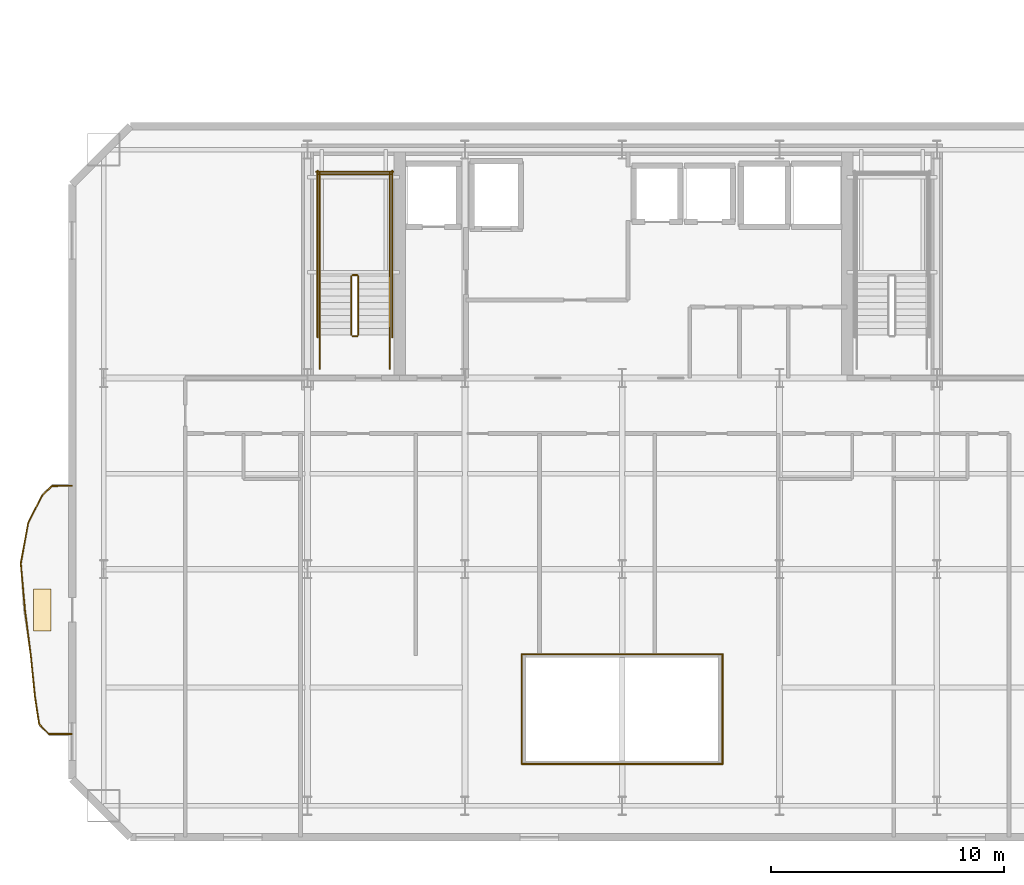
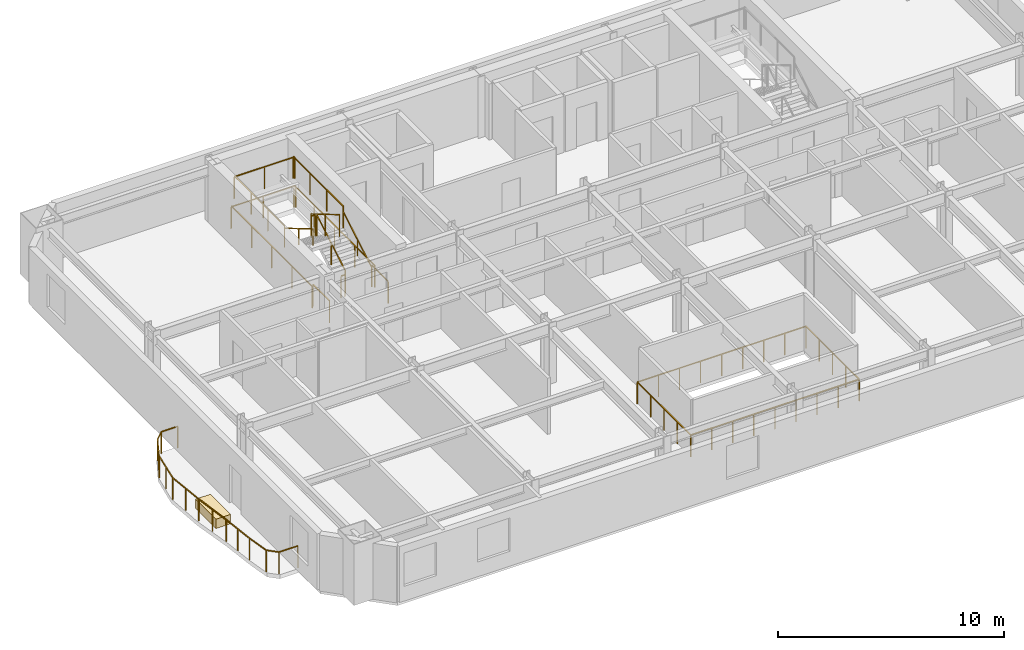
# One storey, part 11 of 14: 28 railings, 1 covering.
"""IFC4 building model written with IfcOpenShell, lengths in metres."""

from ifc_helpers import new_model, si_unit, direction, frame, origin, origin_2d, place, context, subcontext, project, spatial, rectangle, extrude, material, layer, layer_set, type_object, element, save


model = new_model("IFC4")

# Units and contexts
model_context = context("Model", 3, precision=1e-05, world=origin(), true_north=direction((0.0, 1.0)))
body_context = subcontext(model_context, "Body", "Model", "MODEL_VIEW")
ifc_project = project(units=[si_unit("LENGTHUNIT", "METRE"), si_unit("AREAUNIT", "SQUARE_METRE"), si_unit("VOLUMEUNIT", "CUBIC_METRE"), si_unit("PLANEANGLEUNIT", "RADIAN"), si_unit("MASSUNIT", "GRAM", prefix="KILO")], contexts=[model_context])

# Site, building, storey
site_placement = place(None, origin())
site = spatial("IfcSite", under=ifc_project, at=site_placement, CompositionType="ELEMENT")
building_placement = place(site_placement, origin())
building = spatial("IfcBuilding", under=site, at=building_placement, Name="Haevon Station Towers", CompositionType="ELEMENT")
storey_placement = place(building_placement, frame((0.0, 0.0, 106.5)))
storey = spatial("IfcBuildingStorey", under=building, at=storey_placement, Name="L28", CompositionType="ELEMENT", Elevation=106.5)

# Railings
ifc_material_1 = material(Name="Steel S355", Category="steel")
railing_type_1 = type_object("IfcRailingType", Name="BAL-ATR1200", PredefinedType="BALUSTRADE", material=ifc_material_1)
railing_1_placement = place(storey_placement, frame((33.19482421875, 21.642333984375, 0.0)))
element("IfcRailing", 1, at=railing_1_placement, inside=storey, type_object=railing_type_1, Name="L28 Atrium Void Balustrade 1", PredefinedType="BALUSTRADE", context=body_context, shape_type="SweptSolid", body=[
    extrude(rectangle(XDim=0.048095703125, YDim=0.048095703125, at=origin_2d()), frame((0.0, 0.0, 1.17578125), z_axis=(1.0, 0.0, 0.0), x_axis=(0.0, 1.0, 0.0)), (0.0, 0.0, 1.0), 8.6103515625),
    extrude(rectangle(XDim=0.0419921875, YDim=0.0419921875, at=origin_2d()), origin(), (0.0, 0.0, 1.0), 1.15185546875),
    extrude(rectangle(XDim=0.0419921875, YDim=0.0419921875, at=origin_2d()), frame((1.076171875, 0.0, 0.0)), (0.0, 0.0, 1.0), 1.15185546875),
    extrude(rectangle(XDim=0.0419921875, YDim=0.0419921875, at=origin_2d()), frame((2.152587890625, 0.0, 0.0)), (0.0, 0.0, 1.0), 1.15185546875),
    extrude(rectangle(XDim=0.0419921875, YDim=0.0419921875, at=origin_2d()), frame((3.22900390625, 0.0, 0.0)), (0.0, 0.0, 1.0), 1.15185546875),
    extrude(rectangle(XDim=0.0419921875, YDim=0.0419921875, at=origin_2d()), frame((4.30517578125, 0.0, 0.0)), (0.0, 0.0, 1.0), 1.15185546875),
    extrude(rectangle(XDim=0.0419921875, YDim=0.0419921875, at=origin_2d()), frame((5.38134765625, 0.0, 0.0)), (0.0, 0.0, 1.0), 1.15185546875),
    extrude(rectangle(XDim=0.0419921875, YDim=0.0419921875, at=origin_2d()), frame((6.457763671875, 0.0, 0.0)), (0.0, 0.0, 1.0), 1.15185546875),
    extrude(rectangle(XDim=0.0419921875, YDim=0.0419921875, at=origin_2d()), frame((7.5341796875, 0.0, 0.0)), (0.0, 0.0, 1.0), 1.15185546875),
    extrude(rectangle(XDim=0.0419921875, YDim=0.0419921875, at=origin_2d()), frame((8.6103515625, 0.0, 0.0)), (0.0, 0.0, 1.0), 1.15185546875),
])
railing_2_placement = place(storey_placement, frame((41.80517578125, 21.642333984375, 0.0)))
element("IfcRailing", 2, at=railing_2_placement, inside=storey, type_object=railing_type_1, Name="L28 Atrium Void Balustrade 2", PredefinedType="BALUSTRADE", context=body_context, shape_type="SweptSolid", body=[
    extrude(rectangle(XDim=0.048095703125, YDim=0.048095703125, at=origin_2d()), frame((0.0, 0.0, 1.17578125), z_axis=(0.0, 1.0, 0.0), x_axis=(-1.0, 0.0, 0.0)), (0.0, 0.0, 1.0), 4.71533203125),
    extrude(rectangle(XDim=0.0419921875, YDim=0.0419921875, at=origin_2d()), origin(), (0.0, 0.0, 1.0), 1.15185546875),
    extrude(rectangle(XDim=0.0419921875, YDim=0.0419921875, at=origin_2d()), frame((0.0, 1.1787109375, 0.0)), (0.0, 0.0, 1.0), 1.15185546875),
    extrude(rectangle(XDim=0.0419921875, YDim=0.0419921875, at=origin_2d()), frame((0.0, 2.357666015625, 0.0)), (0.0, 0.0, 1.0), 1.15185546875),
    extrude(rectangle(XDim=0.0419921875, YDim=0.0419921875, at=origin_2d()), frame((0.0, 3.53662109375, 0.0)), (0.0, 0.0, 1.0), 1.15185546875),
    extrude(rectangle(XDim=0.0419921875, YDim=0.0419921875, at=origin_2d()), frame((0.0, 4.71533203125, 0.0)), (0.0, 0.0, 1.0), 1.15185546875),
])
railing_3_placement = place(storey_placement, frame((41.80517578125, 26.357666015625, 0.0)))
element("IfcRailing", 3, at=railing_3_placement, inside=storey, type_object=railing_type_1, Name="L28 Atrium Void Balustrade 3", PredefinedType="BALUSTRADE", context=body_context, shape_type="SweptSolid", body=[
    extrude(rectangle(XDim=0.048095703125, YDim=0.048095703125, at=origin_2d()), frame((0.0, 0.0, 1.17578125), z_axis=(-1.0, 0.0, 0.0), x_axis=(0.0, -1.0, 0.0)), (0.0, 0.0, 1.0), 8.6103515625),
    extrude(rectangle(XDim=0.0419921875, YDim=0.0419921875, at=origin_2d()), origin(), (0.0, 0.0, 1.0), 1.15185546875),
    extrude(rectangle(XDim=0.0419921875, YDim=0.0419921875, at=origin_2d()), frame((-1.076171875, 0.0, 0.0)), (0.0, 0.0, 1.0), 1.15185546875),
    extrude(rectangle(XDim=0.0419921875, YDim=0.0419921875, at=origin_2d()), frame((-2.152587890625, 0.0, 0.0)), (0.0, 0.0, 1.0), 1.15185546875),
    extrude(rectangle(XDim=0.0419921875, YDim=0.0419921875, at=origin_2d()), frame((-3.22900390625, 0.0, 0.0)), (0.0, 0.0, 1.0), 1.15185546875),
    extrude(rectangle(XDim=0.0419921875, YDim=0.0419921875, at=origin_2d()), frame((-4.30517578125, 0.0, 0.0)), (0.0, 0.0, 1.0), 1.15185546875),
    extrude(rectangle(XDim=0.0419921875, YDim=0.0419921875, at=origin_2d()), frame((-5.38134765625, 0.0, 0.0)), (0.0, 0.0, 1.0), 1.15185546875),
    extrude(rectangle(XDim=0.0419921875, YDim=0.0419921875, at=origin_2d()), frame((-6.457763671875, 0.0, 0.0)), (0.0, 0.0, 1.0), 1.15185546875),
    extrude(rectangle(XDim=0.0419921875, YDim=0.0419921875, at=origin_2d()), frame((-7.5341796875, 0.0, 0.0)), (0.0, 0.0, 1.0), 1.15185546875),
    extrude(rectangle(XDim=0.0419921875, YDim=0.0419921875, at=origin_2d()), frame((-8.6103515625, 0.0, 0.0)), (0.0, 0.0, 1.0), 1.15185546875),
])
railing_4_placement = place(storey_placement, frame((33.19482421875, 26.357666015625, 0.0)))
element("IfcRailing", 4, at=railing_4_placement, inside=storey, type_object=railing_type_1, Name="L28 Atrium Void Balustrade 4", PredefinedType="BALUSTRADE", context=body_context, shape_type="SweptSolid", body=[
    extrude(rectangle(XDim=0.048095703125, YDim=0.048095703125, at=origin_2d()), frame((0.0, 0.0, 1.17578125), z_axis=(0.0, -1.0, 0.0), x_axis=(1.0, 0.0, 0.0)), (0.0, 0.0, 1.0), 4.71533203125),
    extrude(rectangle(XDim=0.0419921875, YDim=0.0419921875, at=origin_2d()), origin(), (0.0, 0.0, 1.0), 1.15185546875),
    extrude(rectangle(XDim=0.0419921875, YDim=0.0419921875, at=origin_2d()), frame((0.0, -1.1787109375, 0.0)), (0.0, 0.0, 1.0), 1.15185546875),
    extrude(rectangle(XDim=0.0419921875, YDim=0.0419921875, at=origin_2d()), frame((0.0, -2.357666015625, 0.0)), (0.0, 0.0, 1.0), 1.15185546875),
    extrude(rectangle(XDim=0.0419921875, YDim=0.0419921875, at=origin_2d()), frame((0.0, -3.53662109375, 0.0)), (0.0, 0.0, 1.0), 1.15185546875),
    extrude(rectangle(XDim=0.0419921875, YDim=0.0419921875, at=origin_2d()), frame((0.0, -4.71533203125, 0.0)), (0.0, 0.0, 1.0), 1.15185546875),
])
railing_type_2 = type_object("IfcRailingType", Name="GRD-EXT1200", PredefinedType="GUARDRAIL", material=ifc_material_1)
railing_5_placement = place(storey_placement, frame((13.87646484375, 33.572265625, 0.0)))
element("IfcRailing", 5, at=railing_5_placement, inside=storey, type_object=railing_type_2, Name="L28 Perimeter Guardrail 1", PredefinedType="GUARDRAIL", context=body_context, shape_type="SweptSolid", body=[
    extrude(rectangle(XDim=0.048095703125, YDim=0.048095703125, at=origin_2d()), frame((0.0, 0.0, 1.17578125), z_axis=(-0.999997283225, -0.002330995998, 0.0), x_axis=(0.002330995998, -0.999997283225, 0.0)), (0.0, 0.0, 1.0), 0.837890625),
    extrude(rectangle(XDim=0.0419921875, YDim=0.0419921875, at=origin_2d()), origin(), (0.0, 0.0, 1.0), 1.15185546875),
    extrude(rectangle(XDim=0.0419921875, YDim=0.0419921875, at=origin_2d()), frame((-0.837890625, -0.001953125, 0.0)), (0.0, 0.0, 1.0), 1.15185546875),
])
railing_6_placement = place(storey_placement, frame((13.03857421875, 33.5703125, 0.0)))
element("IfcRailing", 6, at=railing_6_placement, inside=storey, type_object=railing_type_2, Name="L28 Perimeter Guardrail 2", PredefinedType="GUARDRAIL", context=body_context, shape_type="SweptSolid", body=[
    extrude(rectangle(XDim=0.048095703125, YDim=0.048095703125, at=origin_2d()), frame((0.0, 0.0, 1.17578125), z_axis=(-0.722133455915, -0.69175376533, 0.0), x_axis=(0.69175376533, -0.722133455915, 0.0)), (0.0, 0.0, 1.0), 0.5947265625),
    extrude(rectangle(XDim=0.0419921875, YDim=0.0419921875, at=origin_2d()), origin(), (0.0, 0.0, 1.0), 1.15185546875),
    extrude(rectangle(XDim=0.0419921875, YDim=0.0419921875, at=origin_2d()), frame((-0.429443359375, -0.411376953125, 0.0)), (0.0, 0.0, 1.0), 1.15185546875),
])
railing_7_placement = place(storey_placement, frame((12.609130859375, 33.158935546875, 0.0)))
element("IfcRailing", 7, at=railing_7_placement, inside=storey, type_object=railing_type_2, Name="L28 Perimeter Guardrail 3", PredefinedType="GUARDRAIL", context=body_context, shape_type="SweptSolid", body=[
    extrude(rectangle(XDim=0.048095703125, YDim=0.048095703125, at=origin_2d()), frame((0.0, 0.0, 1.17578125), z_axis=(-0.452639997868, -0.891693351063, 0.0), x_axis=(0.891693351063, -0.452639997868, 0.0)), (0.0, 0.0, 1.0), 1.311767578125),
    extrude(rectangle(XDim=0.0419921875, YDim=0.0419921875, at=origin_2d()), origin(), (0.0, 0.0, 1.0), 1.15185546875),
    extrude(rectangle(XDim=0.0419921875, YDim=0.0419921875, at=origin_2d()), frame((-0.296875, -0.5849609375, 0.0)), (0.0, 0.0, 1.0), 1.15185546875),
    extrude(rectangle(XDim=0.0419921875, YDim=0.0419921875, at=origin_2d()), frame((-0.59375, -1.169677734375, 0.0)), (0.0, 0.0, 1.0), 1.15185546875),
])
railing_8_placement = place(storey_placement, frame((12.015380859375, 31.9892578125, 0.0)))
element("IfcRailing", 8, at=railing_8_placement, inside=storey, type_object=railing_type_2, Name="L28 Perimeter Guardrail 4", PredefinedType="GUARDRAIL", context=body_context, shape_type="SweptSolid", body=[
    extrude(rectangle(XDim=0.048095703125, YDim=0.048095703125, at=origin_2d()), frame((0.0, 0.0, 1.17578125), z_axis=(-0.179418162839, -0.983772902068, 0.0), x_axis=(0.983772902068, -0.179418162839, 0.0)), (0.0, 0.0, 1.0), 1.7744140625),
    extrude(rectangle(XDim=0.0419921875, YDim=0.0419921875, at=origin_2d()), origin(), (0.0, 0.0, 1.0), 1.15185546875),
    extrude(rectangle(XDim=0.0419921875, YDim=0.0419921875, at=origin_2d()), frame((-0.1591796875, -0.872802734375, 0.0)), (0.0, 0.0, 1.0), 1.15185546875),
    extrude(rectangle(XDim=0.0419921875, YDim=0.0419921875, at=origin_2d()), frame((-0.318359375, -1.74560546875, 0.0)), (0.0, 0.0, 1.0), 1.15185546875),
])
railing_9_placement = place(storey_placement, frame((11.697021484375, 30.24365234375, 0.0)))
element("IfcRailing", 9, at=railing_9_placement, inside=storey, type_object=railing_type_2, Name="L28 Perimeter Guardrail 5", PredefinedType="GUARDRAIL", context=body_context, shape_type="SweptSolid", body=[
    extrude(rectangle(XDim=0.048095703125, YDim=0.048095703125, at=origin_2d()), frame((0.0, 0.0, 1.17578125), z_axis=(0.088918972693, -0.996038862844, 0.0), x_axis=(0.996038862844, 0.088918972693, 0.0)), (0.0, 0.0, 1.0), 2.00146484375),
    extrude(rectangle(XDim=0.0419921875, YDim=0.0419921875, at=origin_2d()), origin(), (0.0, 0.0, 1.0), 1.15185546875),
    extrude(rectangle(XDim=0.0419921875, YDim=0.0419921875, at=origin_2d()), frame((0.0888671875, -0.996826171875, 0.0)), (0.0, 0.0, 1.0), 1.15185546875),
    extrude(rectangle(XDim=0.0419921875, YDim=0.0419921875, at=origin_2d()), frame((0.177978515625, -1.99365234375, 0.0)), (0.0, 0.0, 1.0), 1.15185546875),
])
railing_10_placement = place(storey_placement, frame((11.875, 28.25, 0.0)))
element("IfcRailing", 10, at=railing_10_placement, inside=storey, type_object=railing_type_2, Name="L28 Perimeter Guardrail 6", PredefinedType="GUARDRAIL", context=body_context, shape_type="SweptSolid", body=[
    extrude(rectangle(XDim=0.048095703125, YDim=0.048095703125, at=origin_2d()), frame((0.0, 0.0, 1.17578125), z_axis=(0.127480675673, -0.991841054469, 0.0), x_axis=(0.991841054469, 0.127480675673, 0.0)), (0.0, 0.0, 1.0), 2.005126953125),
    extrude(rectangle(XDim=0.0419921875, YDim=0.0419921875, at=origin_2d()), origin(), (0.0, 0.0, 1.0), 1.15185546875),
    extrude(rectangle(XDim=0.0419921875, YDim=0.0419921875, at=origin_2d()), frame((0.1279296875, -0.994384765625, 0.0)), (0.0, 0.0, 1.0), 1.15185546875),
    extrude(rectangle(XDim=0.0419921875, YDim=0.0419921875, at=origin_2d()), frame((0.255615234375, -1.98876953125, 0.0)), (0.0, 0.0, 1.0), 1.15185546875),
])
railing_11_placement = place(storey_placement, frame((12.130615234375, 26.26123046875, 0.0)))
element("IfcRailing", 11, at=railing_11_placement, inside=storey, type_object=railing_type_2, Name="L28 Perimeter Guardrail 7", PredefinedType="GUARDRAIL", context=body_context, shape_type="SweptSolid", body=[
    extrude(rectangle(XDim=0.048095703125, YDim=0.048095703125, at=origin_2d()), frame((0.0, 0.0, 1.17578125), z_axis=(0.100369612016, -0.994950220355, 0.0), x_axis=(0.994950220355, 0.100369612016, 0.0)), (0.0, 0.0, 1.0), 1.758544921875),
    extrude(rectangle(XDim=0.0419921875, YDim=0.0419921875, at=origin_2d()), origin(), (0.0, 0.0, 1.0), 1.15185546875),
    extrude(rectangle(XDim=0.0419921875, YDim=0.0419921875, at=origin_2d()), frame((0.08837890625, -0.875, 0.0)), (0.0, 0.0, 1.0), 1.15185546875),
    extrude(rectangle(XDim=0.0419921875, YDim=0.0419921875, at=origin_2d()), frame((0.176513671875, -1.749755859375, 0.0)), (0.0, 0.0, 1.0), 1.15185546875),
])
railing_12_placement = place(storey_placement, frame((12.30712890625, 24.511474609375, 0.0)))
element("IfcRailing", 12, at=railing_12_placement, inside=storey, type_object=railing_type_2, Name="L28 Perimeter Guardrail 8", PredefinedType="GUARDRAIL", context=body_context, shape_type="SweptSolid", body=[
    extrude(rectangle(XDim=0.048095703125, YDim=0.048095703125, at=origin_2d()), frame((0.0, 0.0, 1.17578125), z_axis=(0.151545873125, -0.988450225524, 0.0), x_axis=(0.988450225524, 0.151545873125, 0.0)), (0.0, 0.0, 1.0), 1.18408203125),
    extrude(rectangle(XDim=0.0419921875, YDim=0.0419921875, at=origin_2d()), origin(), (0.0, 0.0, 1.0), 1.15185546875),
    extrude(rectangle(XDim=0.0419921875, YDim=0.0419921875, at=origin_2d()), frame((0.179443359375, -1.17041015625, 0.0)), (0.0, 0.0, 1.0), 1.15185546875),
])
railing_13_placement = place(storey_placement, frame((12.486572265625, 23.341064453125, 0.0)))
element("IfcRailing", 13, at=railing_13_placement, inside=storey, type_object=railing_type_2, Name="L28 Perimeter Guardrail 9", PredefinedType="GUARDRAIL", context=body_context, shape_type="SweptSolid", body=[
    extrude(rectangle(XDim=0.048095703125, YDim=0.048095703125, at=origin_2d()), frame((0.0, 0.0, 1.17578125), z_axis=(0.710855721551, -0.703337858456, 0.0), x_axis=(0.703337858456, 0.710855721551, 0.0)), (0.0, 0.0, 1.0), 0.58447265625),
    extrude(rectangle(XDim=0.0419921875, YDim=0.0419921875, at=origin_2d()), origin(), (0.0, 0.0, 1.0), 1.15185546875),
    extrude(rectangle(XDim=0.0419921875, YDim=0.0419921875, at=origin_2d()), frame((0.41552734375, -0.4111328125, 0.0)), (0.0, 0.0, 1.0), 1.15185546875),
])
railing_14_placement = place(storey_placement, frame((12.902099609375, 22.929931640625, 0.0)))
element("IfcRailing", 14, at=railing_14_placement, inside=storey, type_object=railing_type_2, Name="L28 Perimeter Guardrail 10", PredefinedType="GUARDRAIL", context=body_context, shape_type="SweptSolid", body=[
    extrude(rectangle(XDim=0.048095703125, YDim=0.048095703125, at=origin_2d()), frame((0.0, 0.0, 1.17578125), z_axis=(0.999997457331, -0.002255068182, 0.0), x_axis=(0.002255068182, 0.999997457331, 0.0)), (0.0, 0.0, 1.0), 0.974365234375),
    extrude(rectangle(XDim=0.0419921875, YDim=0.0419921875, at=origin_2d()), origin(), (0.0, 0.0, 1.0), 1.15185546875),
    extrude(rectangle(XDim=0.0419921875, YDim=0.0419921875, at=origin_2d()), frame((0.974365234375, -0.002197265625, 0.0)), (0.0, 0.0, 1.0), 1.15185546875),
])
railing_type_3 = type_object("IfcRailingType", Name="GRD-STR1200", PredefinedType="GUARDRAIL", material=ifc_material_1)
railing_15_placement = place(storey_placement, frame((26.179931640625, 40.050048828125, 0.1650390625)))
element("IfcRailing", 15, at=railing_15_placement, inside=storey, type_object=railing_type_3, Name="L28 ST1 Stair Guard 1", PredefinedType="GUARDRAIL", context=body_context, shape_type="SweptSolid", body=[
    extrude(rectangle(XDim=0.048095703125, YDim=0.048095703125, at=origin_2d()), frame((0.0, 0.0, 1.17578125), z_axis=(0.0, 0.861560626758, 0.507654692109), x_axis=(-1.0, 0.0, 0.0)), (0.0, 0.0, 1.0), 2.925048828125),
    extrude(rectangle(XDim=0.0419921875, YDim=0.0419921875, at=origin_2d()), origin(), (0.0, 0.0, 1.0), 1.15185546875),
    extrude(rectangle(XDim=0.0419921875, YDim=0.0419921875, at=origin_2d()), frame((0.0, 1.260009765625, 0.742431640625)), (0.0, 0.0, 1.0), 1.15185546875),
    extrude(rectangle(XDim=0.0419921875, YDim=0.0419921875, at=origin_2d()), frame((0.0, 2.52001953125, 1.48486328125)), (0.0, 0.0, 1.0), 1.15185546875),
])
railing_16_placement = place(storey_placement, frame((26.1298828125, 42.6201171875, 1.64990234375)))
element("IfcRailing", 16, at=railing_16_placement, inside=storey, type_object=railing_type_3, Name="L28 ST1 Stair Guard 2", PredefinedType="GUARDRAIL", context=body_context, shape_type="SweptSolid", body=[
    extrude(rectangle(XDim=0.048095703125, YDim=0.048095703125, at=origin_2d()), frame((0.0, 0.0, 1.17578125), z_axis=(-1.0, 0.0, 0.0), x_axis=(0.0, -1.0, 0.0)), (0.0, 0.0, 1.0), 0.199951171875),
    extrude(rectangle(XDim=0.0419921875, YDim=0.0419921875, at=origin_2d()), origin(), (0.0, 0.0, 1.0), 1.15185546875),
    extrude(rectangle(XDim=0.0419921875, YDim=0.0419921875, at=origin_2d()), frame((-0.199951171875, 0.0, 0.0)), (0.0, 0.0, 1.0), 1.15185546875),
])
for number, where, name in (
    (17, (27.530029296875, 42.570068359375, 1.64990234375), "L28 ST1 Stair Guard 3"),
    (18, (24.530029296875, 42.570068359375, 1.64990234375), "L28 ST1 Stair Guard 4"),
):
    element("IfcRailing", number, at=place(storey_placement, frame(where)), inside=storey, type_object=railing_type_3, Name=name, PredefinedType="GUARDRAIL", context=body_context, shape_type="SweptSolid", body=[
        extrude(rectangle(XDim=0.048095703125, YDim=0.048095703125, at=origin_2d()), frame((0.0, 0.0, 1.17578125), z_axis=(0.0, 1.0, 0.0), x_axis=(-1.0, 0.0, 0.0)), (0.0, 0.0, 1.0), 4.429931640625),
        extrude(rectangle(XDim=0.0419921875, YDim=0.0419921875, at=origin_2d()), origin(), (0.0, 0.0, 1.0), 1.15185546875),
        extrude(rectangle(XDim=0.0419921875, YDim=0.0419921875, at=origin_2d()), frame((0.0, 1.4765625, 0.0)), (0.0, 0.0, 1.0), 1.15185546875),
        extrude(rectangle(XDim=0.0419921875, YDim=0.0419921875, at=origin_2d()), frame((0.0, 2.953369140625, 0.0)), (0.0, 0.0, 1.0), 1.15185546875),
        extrude(rectangle(XDim=0.0419921875, YDim=0.0419921875, at=origin_2d()), frame((0.0, 4.429931640625, 0.0)), (0.0, 0.0, 1.0), 1.15185546875),
    ])
railing_17_placement = place(storey_placement, frame((27.580078125, 46.949951171875, 1.64990234375)))
element("IfcRailing", 19, at=railing_17_placement, inside=storey, type_object=railing_type_3, Name="L28 ST1 Stair Guard 5", PredefinedType="GUARDRAIL", context=body_context, shape_type="SweptSolid", body=[
    extrude(rectangle(XDim=0.048095703125, YDim=0.048095703125, at=origin_2d()), frame((0.0, 0.0, 1.17578125), z_axis=(-1.0, 0.0, 0.0), x_axis=(0.0, -1.0, 0.0)), (0.0, 0.0, 1.0), 3.10009765625),
    extrude(rectangle(XDim=0.0419921875, YDim=0.0419921875, at=origin_2d()), origin(), (0.0, 0.0, 1.0), 1.15185546875),
    extrude(rectangle(XDim=0.0419921875, YDim=0.0419921875, at=origin_2d()), frame((-1.550048828125, 0.0, 0.0)), (0.0, 0.0, 1.0), 1.15185546875),
    extrude(rectangle(XDim=0.0419921875, YDim=0.0419921875, at=origin_2d()), frame((-3.10009765625, 0.0, 0.0)), (0.0, 0.0, 1.0), 1.15185546875),
])
railing_18_placement = place(storey_placement, frame((25.8798828125, 42.570068359375, 1.81494140625)))
element("IfcRailing", 20, at=railing_18_placement, inside=storey, type_object=railing_type_3, Name="L28 ST1 Stair Guard 6", PredefinedType="GUARDRAIL", context=body_context, shape_type="SweptSolid", body=[
    extrude(rectangle(XDim=0.048095703125, YDim=0.048095703125, at=origin_2d()), frame((0.0, 0.0, 1.17578125), z_axis=(0.0, -0.86152411907, 0.507716645641), x_axis=(1.0, 0.0, 0.0)), (0.0, 0.0, 1.0), 2.925048828125),
    extrude(rectangle(XDim=0.0419921875, YDim=0.0419921875, at=origin_2d()), origin(), (0.0, 0.0, 1.0), 1.15185546875),
    extrude(rectangle(XDim=0.0419921875, YDim=0.0419921875, at=origin_2d()), frame((0.0, -1.260009765625, 0.74267578125)), (0.0, 0.0, 1.0), 1.15185546875),
    extrude(rectangle(XDim=0.0419921875, YDim=0.0419921875, at=origin_2d()), frame((0.0, -2.52001953125, 1.485107421875)), (0.0, 0.0, 1.0), 1.15185546875),
])
railing_19_placement = place(storey_placement, frame((26.1298828125, 40.0, 0.0)))
element("IfcRailing", 21, at=railing_19_placement, inside=storey, type_object=railing_type_3, Name="L28 ST1 Stair Guard 7", PredefinedType="GUARDRAIL", context=body_context, shape_type="SweptSolid", body=[
    extrude(rectangle(XDim=0.048095703125, YDim=0.048095703125, at=origin_2d()), frame((0.0, 0.0, 1.17578125), z_axis=(-1.0, 0.0, 0.0), x_axis=(0.0, -1.0, 0.0)), (0.0, 0.0, 1.0), 0.199951171875),
    extrude(rectangle(XDim=0.0419921875, YDim=0.0419921875, at=origin_2d()), origin(), (0.0, 0.0, 1.0), 1.15185546875),
    extrude(rectangle(XDim=0.0419921875, YDim=0.0419921875, at=origin_2d()), frame((-0.199951171875, 0.0, 0.0)), (0.0, 0.0, 1.0), 1.15185546875),
])
for number, where, name in (
    (22, (27.530029296875, 38.60009765625, 0.0), "L28 ST1 Stair Guard 8"),
    (23, (24.530029296875, 38.60009765625, 0.0), "L28 ST1 Stair Guard 9"),
):
    element("IfcRailing", number, at=place(storey_placement, frame(where)), inside=storey, type_object=railing_type_3, Name=name, PredefinedType="GUARDRAIL", context=body_context, shape_type="SweptSolid", body=[
        extrude(rectangle(XDim=0.048095703125, YDim=0.048095703125, at=origin_2d()), frame((0.0, 0.0, 1.17578125), z_axis=(0.0, 1.0, 0.0), x_axis=(-1.0, 0.0, 0.0)), (0.0, 0.0, 1.0), 1.449951171875),
        extrude(rectangle(XDim=0.0419921875, YDim=0.0419921875, at=origin_2d()), origin(), (0.0, 0.0, 1.0), 1.15185546875),
        extrude(rectangle(XDim=0.0419921875, YDim=0.0419921875, at=origin_2d()), frame((0.0, 1.449951171875, 0.0)), (0.0, 0.0, 1.0), 1.15185546875),
    ])
for number, where, name in (
    (24, (27.6298828125, 39.949951171875, 0.0), "L28 ST1 Stair Guard 10"),
    (25, (24.429931640625, 39.949951171875, 0.0), "L28 ST1 Stair Guard 11"),
):
    element("IfcRailing", number, at=place(storey_placement, frame(where)), inside=storey, type_object=railing_type_3, Name=name, PredefinedType="GUARDRAIL", context=body_context, shape_type="SweptSolid", body=[
        extrude(rectangle(XDim=0.048095703125, YDim=0.048095703125, at=origin_2d()), frame((0.0, 0.0, 1.17578125), z_axis=(0.0, 1.0, 0.0), x_axis=(-1.0, 0.0, 0.0)), (0.0, 0.0, 1.0), 7.150146484375),
        extrude(rectangle(XDim=0.0419921875, YDim=0.0419921875, at=origin_2d()), origin(), (0.0, 0.0, 1.0), 1.15185546875),
        extrude(rectangle(XDim=0.0419921875, YDim=0.0419921875, at=origin_2d()), frame((0.0, 1.78759765625, 0.0)), (0.0, 0.0, 1.0), 1.15185546875),
        extrude(rectangle(XDim=0.0419921875, YDim=0.0419921875, at=origin_2d()), frame((0.0, 3.5751953125, 0.0)), (0.0, 0.0, 1.0), 1.15185546875),
        extrude(rectangle(XDim=0.0419921875, YDim=0.0419921875, at=origin_2d()), frame((0.0, 5.362548828125, 0.0)), (0.0, 0.0, 1.0), 1.15185546875),
        extrude(rectangle(XDim=0.0419921875, YDim=0.0419921875, at=origin_2d()), frame((0.0, 7.150146484375, 0.0)), (0.0, 0.0, 1.0), 1.15185546875),
    ])
railing_20_placement = place(storey_placement, frame((27.679931640625, 47.050048828125, 0.0)))
element("IfcRailing", 26, at=railing_20_placement, inside=storey, type_object=railing_type_3, Name="L28 ST1 Stair Guard 12", PredefinedType="GUARDRAIL", context=body_context, shape_type="SweptSolid", body=[
    extrude(rectangle(XDim=0.048095703125, YDim=0.048095703125, at=origin_2d()), frame((0.0, 0.0, 1.17578125), z_axis=(-1.0, 0.0, 0.0), x_axis=(0.0, -1.0, 0.0)), (0.0, 0.0, 1.0), 3.300048828125),
    extrude(rectangle(XDim=0.0419921875, YDim=0.0419921875, at=origin_2d()), origin(), (0.0, 0.0, 1.0), 1.15185546875),
    extrude(rectangle(XDim=0.0419921875, YDim=0.0419921875, at=origin_2d()), frame((-1.64990234375, 0.0, 0.0)), (0.0, 0.0, 1.0), 1.15185546875),
    extrude(rectangle(XDim=0.0419921875, YDim=0.0419921875, at=origin_2d()), frame((-3.300048828125, 0.0, 0.0)), (0.0, 0.0, 1.0), 1.15185546875),
])
railing_type_4 = type_object("IfcRailingType", Name="HND-STR900", PredefinedType="HANDRAIL", material=ifc_material_1)
railing_21_placement = place(storey_placement, frame((27.530029296875, 40.050048828125, 0.1650390625)))
element("IfcRailing", 27, at=railing_21_placement, inside=storey, type_object=railing_type_4, Name="L28 ST1 Stair Handrail 1", PredefinedType="HANDRAIL", context=body_context, shape_type="SweptSolid", body=[
    extrude(rectangle(XDim=0.048095703125, YDim=0.048095703125, at=origin_2d()), frame((0.0, 0.0, 0.8759765625), z_axis=(0.0, 0.861560626758, 0.507654692109), x_axis=(-1.0, 0.0, 0.0)), (0.0, 0.0, 1.0), 2.925048828125),
    extrude(rectangle(XDim=0.0419921875, YDim=0.0419921875, at=origin_2d()), origin(), (0.0, 0.0, 1.0), 0.851806640625),
    extrude(rectangle(XDim=0.0419921875, YDim=0.0419921875, at=origin_2d()), frame((0.0, 1.260009765625, 0.742431640625)), (0.0, 0.0, 1.0), 0.851806640625),
    extrude(rectangle(XDim=0.0419921875, YDim=0.0419921875, at=origin_2d()), frame((0.0, 2.52001953125, 1.48486328125)), (0.0, 0.0, 1.0), 0.851806640625),
])
railing_22_placement = place(storey_placement, frame((24.530029296875, 42.570068359375, 1.81494140625)))
element("IfcRailing", 28, at=railing_22_placement, inside=storey, type_object=railing_type_4, Name="L28 ST1 Stair Handrail 2", PredefinedType="HANDRAIL", context=body_context, shape_type="SweptSolid", body=[
    extrude(rectangle(XDim=0.048095703125, YDim=0.048095703125, at=origin_2d()), frame((0.0, 0.0, 0.8759765625), z_axis=(0.0, -0.86152411907, 0.507716645641), x_axis=(1.0, 0.0, 0.0)), (0.0, 0.0, 1.0), 2.925048828125),
    extrude(rectangle(XDim=0.0419921875, YDim=0.0419921875, at=origin_2d()), origin(), (0.0, 0.0, 1.0), 0.851806640625),
    extrude(rectangle(XDim=0.0419921875, YDim=0.0419921875, at=origin_2d()), frame((0.0, -1.260009765625, 0.74267578125)), (0.0, 0.0, 1.0), 0.851806640625),
    extrude(rectangle(XDim=0.0419921875, YDim=0.0419921875, at=origin_2d()), frame((0.0, -2.52001953125, 1.485107421875)), (0.0, 0.0, 1.0), 0.851806640625),
])

# Covering
ifc_material_2 = material(Name="Architectural planter GRC", Category="concrete")
ifc_layer = layer(ifc_material_2, 0.550048828125)
ifc_layer_set = layer_set([ifc_layer], Name="Architectural planter GRC")
covering_type = type_object("IfcCoveringType", Name="PLN-GRC550", PredefinedType="MOLDING", material=ifc_layer_set)
covering_placement = place(storey_placement, frame((12.60986328125, 28.25, 0.0), z_axis=(0.0, 0.0, 1.0), x_axis=(1.0, 0.0, 0.0)))
element("IfcCovering", 29, at=covering_placement, inside=storey, type_object=covering_type, Name="Tower 1 L28 Scalloped Balcony PLANTER", PredefinedType="MOLDING", context=body_context, shape_type="SweptSolid", body=[
    extrude(rectangle(XDim=0.75, YDim=1.800048828125, at=origin_2d()), origin(), (0.0, 0.0, 1.0), 0.5),
])

save(model, "model.ifc")
